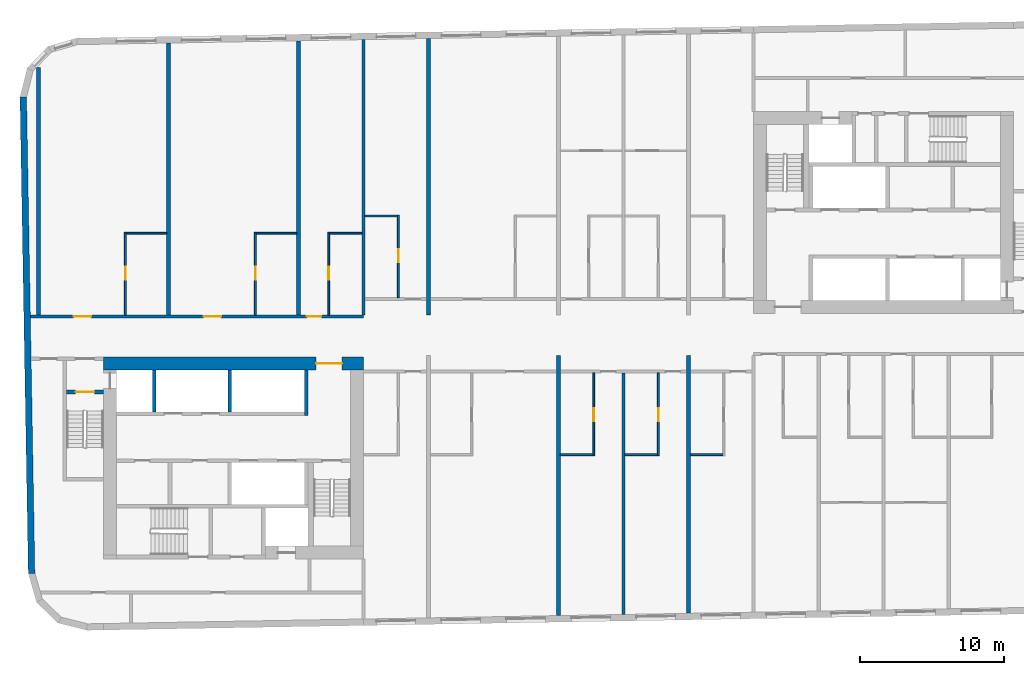
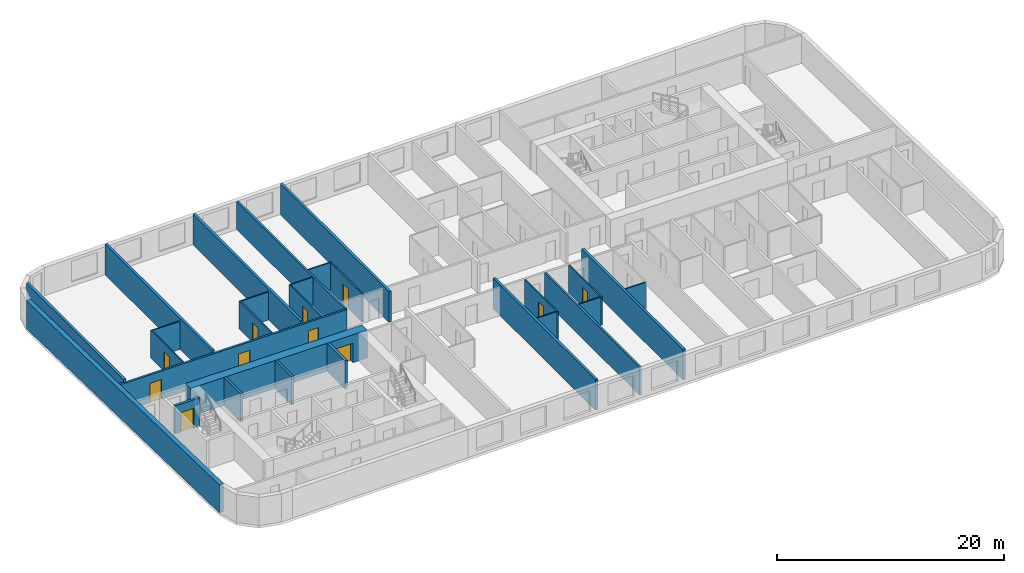
# One storey, part 3 of 11: 28 walls, 11 doors, 11 openings.
"""IFC4 building model written with IfcOpenShell, lengths in metres."""

from ifc_helpers import new_model, si_unit, direction, frame, frame_2d, origin, place, context, subcontext, project, spatial, rectangle, extrude, material, layer, layer_set, type_object, element, fill, save


model = new_model("IFC4")

# Units and contexts
model_context = context("Model", 3, precision=1e-05, world=origin(), true_north=direction((0.0, 1.0)))
body_context = subcontext(model_context, "Body", "Model", "MODEL_VIEW")
ifc_project = project(units=[si_unit("LENGTHUNIT", "METRE"), si_unit("AREAUNIT", "SQUARE_METRE"), si_unit("VOLUMEUNIT", "CUBIC_METRE"), si_unit("PLANEANGLEUNIT", "RADIAN"), si_unit("MASSUNIT", "GRAM", prefix="KILO")], contexts=[model_context])

# Site, building, storey
site_placement = place(None, origin())
site = spatial("IfcSite", under=ifc_project, at=site_placement, CompositionType="ELEMENT")
building_placement = place(site_placement, origin())
building = spatial("IfcBuilding", under=site, at=building_placement, Name="Kajstack Hotel Tower", CompositionType="ELEMENT")
storey_placement = place(building_placement, frame((0.0, 0.0, 230.89990234375)))
storey = spatial("IfcBuildingStorey", under=building, at=storey_placement, Name="L56", CompositionType="ELEMENT", Elevation=230.89990234375)

# Wall, opening, door
ifc_material_1 = material(Name="Concrete C60/75", Category="concrete")
ifc_layer_1 = layer(ifc_material_1, 0.89990234375)
ifc_layer_set_1 = layer_set([ifc_layer_1], Name="Core wall 900")
wall_type_1 = type_object("IfcWallType", Name="Core wall 900", PredefinedType="SHEAR", material=ifc_layer_set_1)
wall_1_placement = place(storey_placement, frame((-31.5, -1.949951171875, 0.0), z_axis=(0.0, 0.0, 1.0), x_axis=(1.0, 0.0, 0.0)))
wall_1 = element("IfcWall", 1, at=wall_1_placement, inside=storey, type_object=wall_type_1, Name="Core wall W RN", PredefinedType="SHEAR", context=body_context, shape_type="SweptSolid", body=[
    extrude(rectangle(XDim=18.0, YDim=0.89990234375, at=frame_2d((9.0, 0.0))), origin(), (0.0, 0.0, 1.0), 3.02001953125),
])
opening_1_placement = place(wall_1_placement, frame((14.72509765625, 0.0, 0.0)))
opening_1 = element("IfcOpeningElement", 2, at=opening_1_placement, cuts=wall_1, Name="Opening 56W07", PredefinedType="OPENING", context=body_context, shape_type="SweptSolid", body=[
    extrude(rectangle(XDim=1.800048828125, YDim=2.10009765625, at=frame_2d((0.89990234375, 1.050048828125))), frame((0.0, 0.4599609375, 0.0), z_axis=(0.0, -1.0, 0.0), x_axis=(1.0, 0.0, 0.0)), (0.0, 0.0, 1.0), 0.919921875),
])
ifc_material_2 = material(Name="Glazed steel frame, fire-rated glass", Category="steel")
door_type_1 = type_object("IfcDoorType", Name="Lobby double door 1800", OperationType="DOUBLE_DOOR_DOUBLE_SWING", PredefinedType="DOOR", material=ifc_material_2)
door_1_placement = place(opening_1_placement, origin())
door_1 = element("IfcDoor", 3, at=door_1_placement, inside=storey, type_object=door_type_1, Name="Door 56W07", OperationType="DOUBLE_DOOR_DOUBLE_SWING", OverallHeight=2.10009765625, OverallWidth=1.800048828125, PredefinedType="DOOR", context=body_context, shape_type="SweptSolid", body=[
    extrude(rectangle(XDim=1.800048828125, YDim=2.10009765625, at=frame_2d((0.89990234375, 1.050048828125))), frame((0.0, 0.02490234375, 0.0), z_axis=(0.0, -1.0, 0.0), x_axis=(1.0, 0.0, 0.0)), (0.0, 0.0, 1.0), 0.050048828125),
])
fill(opening_1, door_1)

# Wall, openings, doors
ifc_material_3 = material(Name="Gypsum board on steel studs, mineral wool", Category="steel")
ifc_layer_2 = layer(ifc_material_3, 0.199951171875)
ifc_layer_set_2 = layer_set([ifc_layer_2], Name="Corridor wall 200")
wall_type_2 = type_object("IfcWallType", Name="Corridor wall 200", PredefinedType="PARTITIONING", material=ifc_layer_set_2)
wall_2_placement = place(storey_placement, frame((-36.56591796875, 1.300048828125, 0.0), z_axis=(0.0, 0.0, 1.0), x_axis=(1.0, 0.0, 0.0)))
wall_2 = element("IfcWall", 4, at=wall_2_placement, inside=storey, type_object=wall_type_2, Name="G-wall-L56-003", PredefinedType="PARTITIONING", context=body_context, shape_type="SweptSolid", body=[
    extrude(rectangle(XDim=23.06591796875, YDim=0.199951171875, at=frame_2d((11.532958984375, 0.0))), origin(), (0.0, 0.0, 1.0), 3.02001953125),
])
opening_2_placement = place(wall_2_placement, frame((3.00390625, 0.0, 0.0)))
opening_2 = element("IfcOpeningElement", 5, at=opening_2_placement, cuts=wall_2, Name="Opening 56001", PredefinedType="OPENING", context=body_context, shape_type="SweptSolid", body=[
    extrude(rectangle(XDim=1.199951171875, YDim=2.10009765625, at=frame_2d((0.60009765625, 1.050048828125))), frame((0.0, 0.10986328125, 0.0), z_axis=(0.0, -1.0, 0.0), x_axis=(1.0, 0.0, 0.0)), (0.0, 0.0, 1.0), 0.219970703125),
])
opening_3_placement = place(wall_2_placement, frame((12.00390625, 0.0, 0.0)))
opening_3 = element("IfcOpeningElement", 6, at=opening_3_placement, cuts=wall_2, Name="Opening 56003", PredefinedType="OPENING", context=body_context, shape_type="SweptSolid", body=[
    extrude(rectangle(XDim=1.199951171875, YDim=2.10009765625, at=frame_2d((0.60009765625, 1.050048828125))), frame((0.0, 0.10986328125, 0.0), z_axis=(0.0, -1.0, 0.0), x_axis=(1.0, 0.0, 0.0)), (0.0, 0.0, 1.0), 0.219970703125),
])
opening_4_placement = place(wall_2_placement, frame((19.14111328125, 0.0, 0.0)))
opening_4 = element("IfcOpeningElement", 7, at=opening_4_placement, cuts=wall_2, Name="Opening 56005", PredefinedType="OPENING", context=body_context, shape_type="SweptSolid", body=[
    extrude(rectangle(XDim=1.0, YDim=2.10009765625, at=frame_2d((0.5, 1.050048828125))), frame((0.0, 0.10986328125, 0.0), z_axis=(0.0, -1.0, 0.0), x_axis=(1.0, 0.0, 0.0)), (0.0, 0.0, 1.0), 0.219970703125),
])
ifc_material_4 = material(Name="Oak veneer on timber core, fire-rated leaf", Category="wood")
door_type_2 = type_object("IfcDoorType", Name="Flat entrance door 1000", OperationType="SINGLE_SWING_LEFT", PredefinedType="DOOR", material=ifc_material_4)
door_2_placement = place(opening_4_placement, origin())
door_2 = element("IfcDoor", 8, at=door_2_placement, inside=storey, type_object=door_type_2, Name="G-door-L56-05", OperationType="SINGLE_SWING_RIGHT", OverallHeight=2.10009765625, OverallWidth=1.0, PredefinedType="DOOR", context=body_context, shape_type="SweptSolid", body=[
    extrude(rectangle(XDim=1.0, YDim=2.10009765625, at=frame_2d((0.5, 1.050048828125))), frame((0.0, 0.02490234375, 0.0), z_axis=(0.0, -1.0, 0.0), x_axis=(1.0, 0.0, 0.0)), (0.0, 0.0, 1.0), 0.050048828125),
])
fill(opening_4, door_2)
door_type_3 = type_object("IfcDoorType", Name="Flat entrance door 1200", OperationType="SINGLE_SWING_LEFT", PredefinedType="DOOR", material=ifc_material_4)
door_3_placement = place(opening_2_placement, origin())
door_3 = element("IfcDoor", 9, at=door_3_placement, inside=storey, type_object=door_type_3, Name="G-door-L56-01", OperationType="SINGLE_SWING_RIGHT", OverallHeight=2.10009765625, OverallWidth=1.199951171875, PredefinedType="DOOR", context=body_context, shape_type="SweptSolid", body=[
    extrude(rectangle(XDim=1.199951171875, YDim=2.10009765625, at=frame_2d((0.60009765625, 1.050048828125))), frame((0.0, 0.02490234375, 0.0), z_axis=(0.0, -1.0, 0.0), x_axis=(1.0, 0.0, 0.0)), (0.0, 0.0, 1.0), 0.050048828125),
])
fill(opening_2, door_3)
door_4_placement = place(opening_3_placement, origin())
door_4 = element("IfcDoor", 10, at=door_4_placement, inside=storey, type_object=door_type_3, Name="G-door-L56-03", OperationType="SINGLE_SWING_LEFT", OverallHeight=2.10009765625, OverallWidth=1.199951171875, PredefinedType="DOOR", context=body_context, shape_type="SweptSolid", body=[
    extrude(rectangle(XDim=1.199951171875, YDim=2.10009765625, at=frame_2d((0.60009765625, 1.050048828125))), frame((0.0, 0.02490234375, 0.0), z_axis=(0.0, -1.0, 0.0), x_axis=(1.0, 0.0, 0.0)), (0.0, 0.0, 1.0), 0.050048828125),
])
fill(opening_3, door_4)

# Walls
ifc_material_5 = material(Name="Twin-frame gypsum board on steel studs, mineral wool", Category="steel")
ifc_layer_3 = layer(ifc_material_5, 0.199951171875)
ifc_layer_set_3 = layer_set([ifc_layer_3], Name="Demising wall 200")
wall_type_3 = type_object("IfcWallType", Name="Demising wall 200", PredefinedType="PARTITIONING", material=ifc_layer_set_3)
wall_3_placement = place(storey_placement, frame((-13.5, 1.39990234375, 0.0), z_axis=(0.0, 0.0, 1.0), x_axis=(0.0, 1.0, 0.0)))
element("IfcWall", 11, at=wall_3_placement, inside=storey, type_object=wall_type_3, Name="G-wall-L56-009", PredefinedType="PARTITIONING", context=body_context, shape_type="SweptSolid", body=[
    extrude(rectangle(XDim=19.065185546875, YDim=0.199951171875, at=frame_2d((9.53271484375, 0.0))), origin(), (0.0, 0.0, 1.0), 3.02001953125),
])
wall_4_placement = place(storey_placement, frame((4.5, -19.326904296875, 0.0), z_axis=(0.0, 0.0, 1.0), x_axis=(0.0, 1.0, 0.0)))
element("IfcWall", 12, at=wall_4_placement, inside=storey, type_object=wall_type_3, Name="G-wall-L56-031", PredefinedType="PARTITIONING", context=body_context, shape_type="SweptSolid", body=[
    extrude(rectangle(XDim=16.726806640625, YDim=0.199951171875, at=frame_2d((8.36328125, 0.0))), origin(), (0.0, 0.0, 1.0), 3.02001953125),
])
ifc_material_6 = material(Name="Terracotta-faced brick masonry", Category="masonry")
ifc_layer_4 = layer(ifc_material_6, 0.449951171875)
ifc_layer_set_4 = layer_set([ifc_layer_4], Name="EW-TERRA")
wall_type_4 = type_object("IfcWallType", Name="EW-TERRA", PredefinedType="SOLIDWALL", material=ifc_layer_set_4)
wall_5_placement = place(storey_placement, frame((-37.056884765625, 16.50341796875, 0.0), z_axis=(0.0, 0.0, 1.0), x_axis=(0.017452279857, -0.999847697366, 0.0)))
element("IfcWall", 13, at=wall_5_placement, inside=storey, type_object=wall_type_4, Name="E-wall-L56-00-00", PredefinedType="SOLIDWALL", context=body_context, shape_type="SweptSolid", body=[
    extrude(rectangle(XDim=33.000244140625, YDim=0.449951171875, at=frame_2d((16.5, 0.0))), origin(), (0.0, 0.0, 1.0), 3.02001953125),
])

# Wall, opening, door
ifc_material_7 = material(Name="Gypsum board and tiled backer on steel studs", Category="steel")
ifc_layer_5 = layer(ifc_material_7, 0.125)
ifc_layer_set_5 = layer_set([ifc_layer_5], Name="En-suite wall 125")
wall_type_5 = type_object("IfcWallType", Name="En-suite wall 125", PredefinedType="PARTITIONING", material=ifc_layer_set_5)
wall_6_placement = place(storey_placement, frame((-29.988037109375, 1.39990234375, 0.0), z_axis=(0.0, 0.0, 1.0), x_axis=(0.0, 1.0, 0.0)))
wall_6 = element("IfcWall", 14, at=wall_6_placement, inside=storey, type_object=wall_type_5, Name="G-wall-L56-005", PredefinedType="PARTITIONING", context=body_context, shape_type="SweptSolid", body=[
    extrude(rectangle(XDim=5.72509765625, YDim=0.125, at=frame_2d((2.862548828125, 0.0))), origin(), (0.0, 0.0, 1.0), 3.02001953125),
])
opening_5_placement = place(wall_6_placement, frame((2.449951171875, 0.0, 0.0)))
opening_5 = element("IfcOpeningElement", 15, at=opening_5_placement, cuts=wall_6, Name="Opening 56002", PredefinedType="OPENING", context=body_context, shape_type="SweptSolid", body=[
    extrude(rectangle(XDim=0.89990234375, YDim=2.10009765625, at=frame_2d((0.449951171875, 1.050048828125))), frame((0.0, 0.072509765625, 0.0), z_axis=(0.0, -1.0, 0.0), x_axis=(1.0, 0.0, 0.0)), (0.0, 0.0, 1.0), 0.14501953125),
])
ifc_material_8 = material(Name="Painted timber door leaf", Category="wood")
door_type_4 = type_object("IfcDoorType", Name="Room door 900", OperationType="SINGLE_SWING_LEFT", PredefinedType="DOOR", material=ifc_material_8)
door_5_placement = place(opening_5_placement, origin())
door_5 = element("IfcDoor", 16, at=door_5_placement, inside=storey, type_object=door_type_4, Name="G-door-L56-02", OperationType="SINGLE_SWING_RIGHT", OverallHeight=2.10009765625, OverallWidth=0.89990234375, PredefinedType="DOOR", context=body_context, shape_type="SweptSolid", body=[
    extrude(rectangle(XDim=0.89990234375, YDim=2.10009765625, at=frame_2d((0.449951171875, 1.050048828125))), frame((0.0, 0.02490234375, 0.0), z_axis=(0.0, -1.0, 0.0), x_axis=(1.0, 0.0, 0.0)), (0.0, 0.0, 1.0), 0.050048828125),
])
fill(opening_5, door_5)

# Wall
wall_7_placement = place(storey_placement, frame((-29.925048828125, 7.06201171875, 0.0), z_axis=(0.0, 0.0, 1.0), x_axis=(1.0, 0.0, 0.0)))
element("IfcWall", 17, at=wall_7_placement, inside=storey, type_object=wall_type_5, Name="G-wall-L56-006", PredefinedType="PARTITIONING", context=body_context, shape_type="SweptSolid", body=[
    extrude(rectangle(XDim=2.800048828125, YDim=0.125, at=frame_2d((1.39990234375, 0.0))), origin(), (0.0, 0.0, 1.0), 3.02001953125),
])

# Wall, opening, door
wall_8_placement = place(storey_placement, frame((-20.988037109375, 1.39990234375, 0.0), z_axis=(0.0, 0.0, 1.0), x_axis=(0.0, 1.0, 0.0)))
wall_8 = element("IfcWall", 18, at=wall_8_placement, inside=storey, type_object=wall_type_5, Name="G-wall-L56-007", PredefinedType="PARTITIONING", context=body_context, shape_type="SweptSolid", body=[
    extrude(rectangle(XDim=5.72509765625, YDim=0.125, at=frame_2d((2.862548828125, 0.0))), origin(), (0.0, 0.0, 1.0), 3.02001953125),
])
opening_6_placement = place(wall_8_placement, frame((2.449951171875, 0.0, 0.0)))
opening_6 = element("IfcOpeningElement", 19, at=opening_6_placement, cuts=wall_8, Name="Opening 56004", PredefinedType="OPENING", context=body_context, shape_type="SweptSolid", body=[
    extrude(rectangle(XDim=0.89990234375, YDim=2.10009765625, at=frame_2d((0.449951171875, 1.050048828125))), frame((0.0, 0.072509765625, 0.0), z_axis=(0.0, -1.0, 0.0), x_axis=(1.0, 0.0, 0.0)), (0.0, 0.0, 1.0), 0.14501953125),
])
door_6_placement = place(opening_6_placement, origin())
door_6 = element("IfcDoor", 20, at=door_6_placement, inside=storey, type_object=door_type_4, Name="G-door-L56-04", OperationType="SINGLE_SWING_RIGHT", OverallHeight=2.10009765625, OverallWidth=0.89990234375, PredefinedType="DOOR", context=body_context, shape_type="SweptSolid", body=[
    extrude(rectangle(XDim=0.89990234375, YDim=2.10009765625, at=frame_2d((0.449951171875, 1.050048828125))), frame((0.0, 0.02490234375, 0.0), z_axis=(0.0, -1.0, 0.0), x_axis=(1.0, 0.0, 0.0)), (0.0, 0.0, 1.0), 0.050048828125),
])
fill(opening_6, door_6)

# Wall
wall_9_placement = place(storey_placement, frame((-20.925048828125, 7.06201171875, 0.0), z_axis=(0.0, 0.0, 1.0), x_axis=(1.0, 0.0, 0.0)))
element("IfcWall", 21, at=wall_9_placement, inside=storey, type_object=wall_type_5, Name="G-wall-L56-008", PredefinedType="PARTITIONING", context=body_context, shape_type="SweptSolid", body=[
    extrude(rectangle(XDim=2.800048828125, YDim=0.125, at=frame_2d((1.39990234375, 0.0))), origin(), (0.0, 0.0, 1.0), 3.02001953125),
])

# Wall, opening, door
wall_10_placement = place(storey_placement, frame((-15.912109375, 1.39990234375, 0.0), z_axis=(0.0, 0.0, 1.0), x_axis=(0.0, 1.0, 0.0)))
wall_10 = element("IfcWall", 22, at=wall_10_placement, inside=storey, type_object=wall_type_5, Name="G-wall-L56-010", PredefinedType="PARTITIONING", context=body_context, shape_type="SweptSolid", body=[
    extrude(rectangle(XDim=5.72509765625, YDim=0.125, at=frame_2d((2.862548828125, 0.0))), origin(), (0.0, 0.0, 1.0), 3.02001953125),
])
opening_7_placement = place(wall_10_placement, frame((2.449951171875, 0.0, 0.0)))
opening_7 = element("IfcOpeningElement", 23, at=opening_7_placement, cuts=wall_10, Name="Opening 56006", PredefinedType="OPENING", context=body_context, shape_type="SweptSolid", body=[
    extrude(rectangle(XDim=0.89990234375, YDim=2.10009765625, at=frame_2d((0.449951171875, 1.050048828125))), frame((0.0, 0.072509765625, 0.0), z_axis=(0.0, -1.0, 0.0), x_axis=(1.0, 0.0, 0.0)), (0.0, 0.0, 1.0), 0.14501953125),
])
door_7_placement = place(opening_7_placement, origin())
door_7 = element("IfcDoor", 24, at=door_7_placement, inside=storey, type_object=door_type_4, Name="G-door-L56-06", OperationType="SINGLE_SWING_LEFT", OverallHeight=2.10009765625, OverallWidth=0.89990234375, PredefinedType="DOOR", context=body_context, shape_type="SweptSolid", body=[
    extrude(rectangle(XDim=0.89990234375, YDim=2.10009765625, at=frame_2d((0.449951171875, 1.050048828125))), frame((0.0, 0.02490234375, 0.0), z_axis=(0.0, -1.0, 0.0), x_axis=(1.0, 0.0, 0.0)), (0.0, 0.0, 1.0), 0.050048828125),
])
fill(opening_7, door_7)

# Wall
wall_11_placement = place(storey_placement, frame((-15.85009765625, 7.06201171875, 0.0), z_axis=(0.0, 0.0, 1.0), x_axis=(1.0, 0.0, 0.0)))
element("IfcWall", 25, at=wall_11_placement, inside=storey, type_object=wall_type_5, Name="G-wall-L56-011", PredefinedType="PARTITIONING", context=body_context, shape_type="SweptSolid", body=[
    extrude(rectangle(XDim=2.25, YDim=0.125, at=frame_2d((1.125, 0.0))), origin(), (0.0, 0.0, 1.0), 3.02001953125),
])

# Wall, opening, door
wall_12_placement = place(storey_placement, frame((-11.087890625, 2.60009765625, 0.0), z_axis=(0.0, 0.0, 1.0), x_axis=(0.0, 1.0, 0.0)))
wall_12 = element("IfcWall", 26, at=wall_12_placement, inside=storey, type_object=wall_type_5, Name="G-wall-L56-012", PredefinedType="PARTITIONING", context=body_context, shape_type="SweptSolid", body=[
    extrude(rectangle(XDim=5.724853515625, YDim=0.125, at=frame_2d((2.8623046875, 0.0))), origin(), (0.0, 0.0, 1.0), 3.02001953125),
])
opening_8_placement = place(wall_12_placement, frame((2.449951171875, 0.0, 0.0)))
opening_8 = element("IfcOpeningElement", 27, at=opening_8_placement, cuts=wall_12, Name="Opening 56008", PredefinedType="OPENING", context=body_context, shape_type="SweptSolid", body=[
    extrude(rectangle(XDim=0.89990234375, YDim=2.10009765625, at=frame_2d((0.449951171875, 1.050048828125))), frame((0.0, 0.072509765625, 0.0), z_axis=(0.0, -1.0, 0.0), x_axis=(1.0, 0.0, 0.0)), (0.0, 0.0, 1.0), 0.14501953125),
])
door_8_placement = place(opening_8_placement, origin())
door_8 = element("IfcDoor", 28, at=door_8_placement, inside=storey, type_object=door_type_4, Name="G-door-L56-08", OperationType="SINGLE_SWING_LEFT", OverallHeight=2.10009765625, OverallWidth=0.89990234375, PredefinedType="DOOR", context=body_context, shape_type="SweptSolid", body=[
    extrude(rectangle(XDim=0.89990234375, YDim=2.10009765625, at=frame_2d((0.449951171875, 1.050048828125))), frame((0.0, 0.02490234375, 0.0), z_axis=(0.0, -1.0, 0.0), x_axis=(1.0, 0.0, 0.0)), (0.0, 0.0, 1.0), 0.050048828125),
])
fill(opening_8, door_8)

# Wall
wall_13_placement = place(storey_placement, frame((-13.39990234375, 8.261962890625, 0.0), z_axis=(0.0, 0.0, 1.0), x_axis=(1.0, 0.0, 0.0)))
element("IfcWall", 29, at=wall_13_placement, inside=storey, type_object=wall_type_5, Name="G-wall-L56-013", PredefinedType="PARTITIONING", context=body_context, shape_type="SweptSolid", body=[
    extrude(rectangle(XDim=2.25, YDim=0.125, at=frame_2d((1.125, 0.0))), origin(), (0.0, 0.0, 1.0), 3.02001953125),
])

# Wall, opening, door
wall_14_placement = place(storey_placement, frame((2.43798828125, -8.324951171875, 0.0), z_axis=(0.0, 0.0, 1.0), x_axis=(0.0, 1.0, 0.0)))
wall_14 = element("IfcWall", 30, at=wall_14_placement, inside=storey, type_object=wall_type_5, Name="G-wall-L56-032", PredefinedType="PARTITIONING", context=body_context, shape_type="SweptSolid", body=[
    extrude(rectangle(XDim=5.724853515625, YDim=0.125, at=frame_2d((2.8623046875, 0.0))), origin(), (0.0, 0.0, 1.0), 3.02001953125),
])
opening_9_placement = place(wall_14_placement, frame((2.375, 0.0, 0.0)))
opening_9 = element("IfcOpeningElement", 31, at=opening_9_placement, cuts=wall_14, Name="Opening 56024", PredefinedType="OPENING", context=body_context, shape_type="SweptSolid", body=[
    extrude(rectangle(XDim=0.89990234375, YDim=2.10009765625, at=frame_2d((0.449951171875, 1.050048828125))), frame((0.0, 0.072509765625, 0.0), z_axis=(0.0, -1.0, 0.0), x_axis=(1.0, 0.0, 0.0)), (0.0, 0.0, 1.0), 0.14501953125),
])
door_9_placement = place(opening_9_placement, origin())
door_9 = element("IfcDoor", 32, at=door_9_placement, inside=storey, type_object=door_type_4, Name="G-door-L56-24", OperationType="SINGLE_SWING_LEFT", OverallHeight=2.10009765625, OverallWidth=0.89990234375, PredefinedType="DOOR", context=body_context, shape_type="SweptSolid", body=[
    extrude(rectangle(XDim=0.89990234375, YDim=2.10009765625, at=frame_2d((0.449951171875, 1.050048828125))), frame((0.0, 0.02490234375, 0.0), z_axis=(0.0, -1.0, 0.0), x_axis=(1.0, 0.0, 0.0)), (0.0, 0.0, 1.0), 0.050048828125),
])
fill(opening_9, door_9)

# Wall
wall_15_placement = place(storey_placement, frame((0.125, -8.261962890625, 0.0), z_axis=(0.0, 0.0, 1.0), x_axis=(1.0, 0.0, 0.0)))
element("IfcWall", 33, at=wall_15_placement, inside=storey, type_object=wall_type_5, Name="G-wall-L56-033", PredefinedType="PARTITIONING", context=body_context, shape_type="SweptSolid", body=[
    extrude(rectangle(XDim=2.25, YDim=0.125, at=frame_2d((1.125, 0.0))), origin(), (0.0, 0.0, 1.0), 3.02001953125),
])

# Wall, opening, door
wall_16_placement = place(storey_placement, frame((6.912109375, -8.324951171875, 0.0), z_axis=(0.0, 0.0, 1.0), x_axis=(0.0, 1.0, 0.0)))
wall_16 = element("IfcWall", 34, at=wall_16_placement, inside=storey, type_object=wall_type_5, Name="G-wall-L56-034", PredefinedType="PARTITIONING", context=body_context, shape_type="SweptSolid", body=[
    extrude(rectangle(XDim=5.724853515625, YDim=0.125, at=frame_2d((2.8623046875, 0.0))), origin(), (0.0, 0.0, 1.0), 3.02001953125),
])
opening_10_placement = place(wall_16_placement, frame((2.375, 0.0, 0.0)))
opening_10 = element("IfcOpeningElement", 35, at=opening_10_placement, cuts=wall_16, Name="Opening 56026", PredefinedType="OPENING", context=body_context, shape_type="SweptSolid", body=[
    extrude(rectangle(XDim=0.89990234375, YDim=2.10009765625, at=frame_2d((0.449951171875, 1.050048828125))), frame((0.0, 0.072509765625, 0.0), z_axis=(0.0, -1.0, 0.0), x_axis=(1.0, 0.0, 0.0)), (0.0, 0.0, 1.0), 0.14501953125),
])
door_10_placement = place(opening_10_placement, origin())
door_10 = element("IfcDoor", 36, at=door_10_placement, inside=storey, type_object=door_type_4, Name="G-door-L56-26", OperationType="SINGLE_SWING_LEFT", OverallHeight=2.10009765625, OverallWidth=0.89990234375, PredefinedType="DOOR", context=body_context, shape_type="SweptSolid", body=[
    extrude(rectangle(XDim=0.89990234375, YDim=2.10009765625, at=frame_2d((0.449951171875, 1.050048828125))), frame((0.0, 0.02490234375, 0.0), z_axis=(0.0, -1.0, 0.0), x_axis=(1.0, 0.0, 0.0)), (0.0, 0.0, 1.0), 0.050048828125),
])
fill(opening_10, door_10)

# Walls
for number, where, z_axis, x_axis, name in (
    (37, (4.60009765625, -8.261962890625, 0.0), (0.0, 0.0, 1.0), (1.0, 0.0, 0.0), "G-wall-L56-035"),
    (38, (9.125, -8.261962890625, 0.0), (0.0, 0.0, 1.0), (1.0, 0.0, 0.0), "G-wall-L56-038"),
):
    element("IfcWall", number, at=place(storey_placement, frame(where, z_axis=z_axis, x_axis=x_axis)), inside=storey, type_object=wall_type_5, Name=name, PredefinedType="PARTITIONING", context=body_context, shape_type="SweptSolid", body=[
        extrude(rectangle(XDim=2.25, YDim=0.125, at=frame_2d((1.125, 0.0))), origin(), (0.0, 0.0, 1.0), 3.02001953125),
    ])
ifc_material_9 = material(Name="Concrete C50/60", Category="concrete")
ifc_layer_6 = layer(ifc_material_9, 0.300048828125)
ifc_layer_set_6 = layer_set([ifc_layer_6], Name="Hoistway divider wall 300")
wall_type_6 = type_object("IfcWallType", Name="Hoistway divider wall 300", PredefinedType="SHEAR", material=ifc_layer_set_6)
wall_17_placement = place(storey_placement, frame((-22.77490234375, -5.300048828125, 0.0), z_axis=(0.0, 0.0, 1.0), x_axis=(0.0, 1.0, 0.0)))
element("IfcWall", 39, at=wall_17_placement, inside=storey, type_object=wall_type_6, Name="Core wall W AP2", PredefinedType="SHEAR", context=body_context, shape_type="SweptSolid", body=[
    extrude(rectangle(XDim=2.900146484375, YDim=0.25, at=frame_2d((1.4501953125, 0.0))), origin(), (0.0, 0.0, 1.0), 3.02001953125),
])
ifc_material_10 = material(Name="Concrete C45/55", Category="concrete")
ifc_layer_7 = layer(ifc_material_10, 0.25)
ifc_layer_set_7 = layer_set([ifc_layer_7], Name="RC cross wall 250 C45/55")
wall_type_7 = type_object("IfcWallType", Name="RC cross wall 250 C45/55", PredefinedType="SHEAR", material=ifc_layer_set_7)
wall_18_placement = place(storey_placement, frame((-36.0, 1.39990234375, 0.0), z_axis=(0.0, 0.0, 1.0), x_axis=(0.0, 1.0, 0.0)))
element("IfcWall", 40, at=wall_18_placement, inside=storey, type_object=wall_type_7, Name="S-wall-L56-01", PredefinedType="SHEAR", context=body_context, shape_type="SweptSolid", body=[
    extrude(rectangle(XDim=17.12548828125, YDim=0.25, at=frame_2d((8.562744140625, 0.0))), origin(), (0.0, 0.0, 1.0), 3.300048828125),
])
wall_19_placement = place(storey_placement, frame((-27.0, 1.39990234375, 0.0), z_axis=(0.0, 0.0, 1.0), x_axis=(0.0, 1.0, 0.0)))
element("IfcWall", 41, at=wall_19_placement, inside=storey, type_object=wall_type_7, Name="S-wall-L56-02", PredefinedType="SHEAR", context=body_context, shape_type="SweptSolid", body=[
    extrude(rectangle(XDim=18.8173828125, YDim=0.25, at=frame_2d((9.40869140625, 0.0))), origin(), (0.0, 0.0, 1.0), 3.300048828125),
])
wall_20_placement = place(storey_placement, frame((-18.0, 1.39990234375, 0.0), z_axis=(0.0, 0.0, 1.0), x_axis=(0.0, 1.0, 0.0)))
element("IfcWall", 42, at=wall_20_placement, inside=storey, type_object=wall_type_7, Name="S-wall-L56-03", PredefinedType="SHEAR", context=body_context, shape_type="SweptSolid", body=[
    extrude(rectangle(XDim=18.974365234375, YDim=0.25, at=frame_2d((9.4873046875, 0.0))), origin(), (0.0, 0.0, 1.0), 3.300048828125),
])
wall_21_placement = place(storey_placement, frame((-9.0, 1.39990234375, 0.0), z_axis=(0.0, 0.0, 1.0), x_axis=(0.0, 1.0, 0.0)))
element("IfcWall", 43, at=wall_21_placement, inside=storey, type_object=wall_type_7, Name="S-wall-L56-05", PredefinedType="SHEAR", context=body_context, shape_type="SweptSolid", body=[
    extrude(rectangle(XDim=19.131591796875, YDim=0.25, at=frame_2d((9.56591796875, 0.0))), origin(), (0.0, 0.0, 1.0), 3.300048828125),
])
wall_22_placement = place(storey_placement, frame((0.0, -19.393310546875, 0.0), z_axis=(0.0, 0.0, 1.0), x_axis=(0.0, 1.0, 0.0)))
element("IfcWall", 44, at=wall_22_placement, inside=storey, type_object=wall_type_7, Name="S-wall-L56-06", PredefinedType="SHEAR", context=body_context, shape_type="SweptSolid", body=[
    extrude(rectangle(XDim=17.993408203125, YDim=0.25, at=frame_2d((8.99658203125, 0.0))), origin(), (0.0, 0.0, 1.0), 3.300048828125),
])
wall_23_placement = place(storey_placement, frame((9.0, -19.236083984375, 0.0), z_axis=(0.0, 0.0, 1.0), x_axis=(0.0, 1.0, 0.0)))
element("IfcWall", 45, at=wall_23_placement, inside=storey, type_object=wall_type_7, Name="S-wall-L56-08", PredefinedType="SHEAR", context=body_context, shape_type="SweptSolid", body=[
    extrude(rectangle(XDim=17.836181640625, YDim=0.25, at=frame_2d((8.91796875, 0.0))), origin(), (0.0, 0.0, 1.0), 3.300048828125),
])
ifc_layer_8 = layer(ifc_material_9, 0.25)
ifc_layer_set_8 = layer_set([ifc_layer_8], Name="Shaft wall 250")
wall_type_8 = type_object("IfcWallType", Name="Shaft wall 250", PredefinedType="SHEAR", material=ifc_layer_set_8)
wall_24_placement = place(storey_placement, frame((-17.47509765625, -5.550048828125, 0.0), z_axis=(0.0, 0.0, 1.0), x_axis=(0.0, 1.0, 0.0)))
element("IfcWall", 46, at=wall_24_placement, inside=storey, type_object=wall_type_8, Name="Core wall W AE", PredefinedType="SHEAR", context=body_context, shape_type="SweptSolid", body=[
    extrude(rectangle(XDim=3.150146484375, YDim=0.25, at=frame_2d((1.5751953125, 0.0))), origin(), (0.0, 0.0, 1.0), 3.02001953125),
])
wall_25_placement = place(storey_placement, frame((-27.97509765625, -5.300048828125, 0.0), z_axis=(0.0, 0.0, 1.0), x_axis=(0.0, 1.0, 0.0)))
element("IfcWall", 47, at=wall_25_placement, inside=storey, type_object=wall_type_8, Name="Core wall W AP0", PredefinedType="SHEAR", context=body_context, shape_type="SweptSolid", body=[
    extrude(rectangle(XDim=2.900146484375, YDim=0.25, at=frame_2d((1.4501953125, 0.0))), origin(), (0.0, 0.0, 1.0), 3.02001953125),
])

# Wall, opening, door
ifc_material_11 = material(Name="Concrete C40/50", Category="concrete")
ifc_layer_9 = layer(ifc_material_11, 0.25)
ifc_layer_set_9 = layer_set([ifc_layer_9], Name="Stair enclosure wall 250")
wall_type_9 = type_object("IfcWallType", Name="Stair enclosure wall 250", PredefinedType="SHEAR", material=ifc_layer_set_9)
wall_26_placement = place(storey_placement, frame((-34.050048828125, -3.925048828125, 0.0), z_axis=(0.0, 0.0, 1.0), x_axis=(1.0, 0.0, 0.0)))
wall_26 = element("IfcWall", 48, at=wall_26_placement, inside=storey, type_object=wall_type_9, Name="Core wall W W1N", PredefinedType="SHEAR", context=body_context, shape_type="SweptSolid", body=[
    extrude(rectangle(XDim=2.550048828125, YDim=0.25, at=frame_2d((1.27490234375, 0.0))), origin(), (0.0, 0.0, 1.0), 3.02001953125),
])
opening_11_placement = place(wall_26_placement, frame((0.625, 0.0, 0.0)))
opening_11 = element("IfcOpeningElement", 49, at=opening_11_placement, cuts=wall_26, Name="Opening 56W09", PredefinedType="OPENING", context=body_context, shape_type="SweptSolid", body=[
    extrude(rectangle(XDim=1.300048828125, YDim=2.10009765625, at=frame_2d((0.64990234375, 1.050048828125))), frame((0.0, 0.135009765625, 0.0), z_axis=(0.0, -1.0, 0.0), x_axis=(1.0, 0.0, 0.0)), (0.0, 0.0, 1.0), 0.27001953125),
])
ifc_material_12 = material(Name="Steel leaf, fire-rated", Category="steel")
door_type_5 = type_object("IfcDoorType", Name="Stair door 1300", OperationType="SINGLE_SWING_LEFT", PredefinedType="DOOR", material=ifc_material_12)
door_11_placement = place(opening_11_placement, origin())
door_11 = element("IfcDoor", 50, at=door_11_placement, inside=storey, type_object=door_type_5, Name="Door 56W09", OperationType="SINGLE_SWING_RIGHT", OverallHeight=2.10009765625, OverallWidth=1.300048828125, PredefinedType="DOOR", context=body_context, shape_type="SweptSolid", body=[
    extrude(rectangle(XDim=1.300048828125, YDim=2.10009765625, at=frame_2d((0.64990234375, 1.050048828125))), frame((0.0, 0.02490234375, 0.0), z_axis=(0.0, -1.0, 0.0), x_axis=(1.0, 0.0, 0.0)), (0.0, 0.0, 1.0), 0.050048828125),
])
fill(opening_11, door_11)

save(model, "model.ifc")
